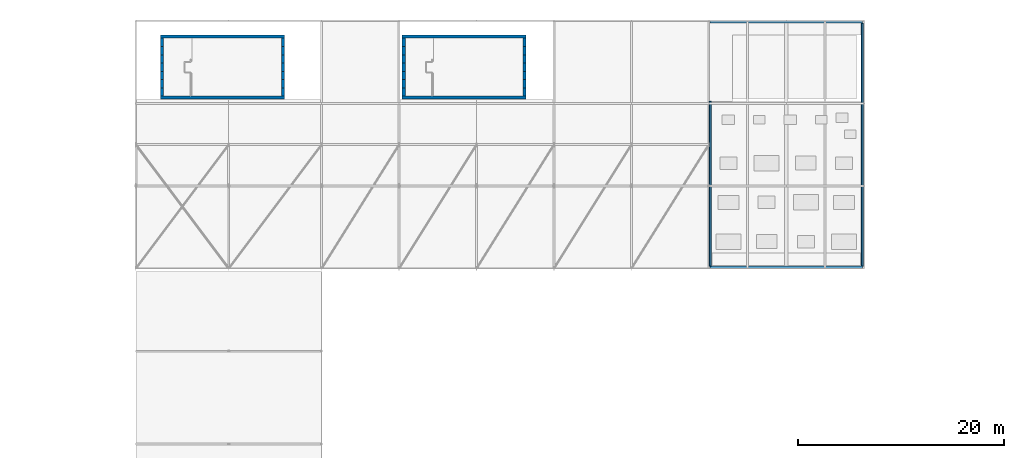
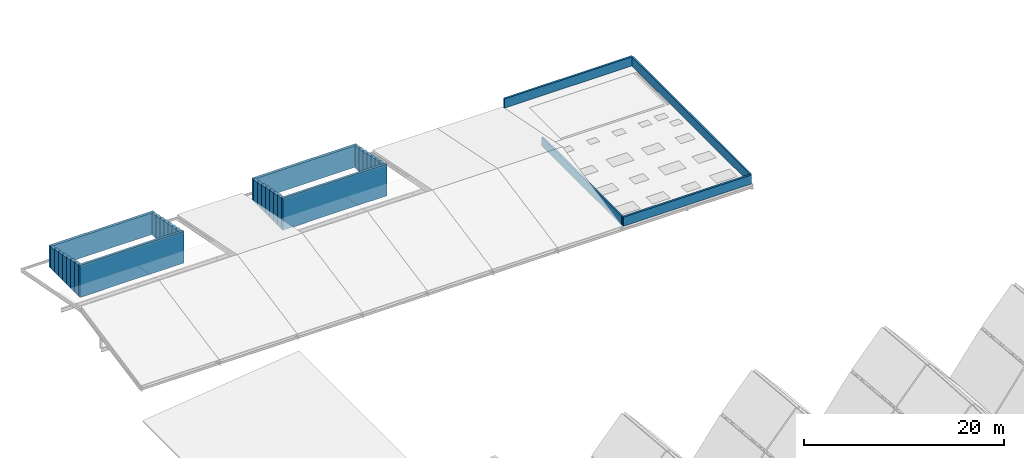
# One storey, part 77 of 93: 36 walls.
"""IFC4 building model written with IfcOpenShell, lengths in metres."""

from ifc_helpers import new_model, si_unit, direction, frame, frame_2d, origin, place, context, subcontext, project, spatial, rectangle, extrude, material, layer, layer_set, type_object, element, save


model = new_model("IFC4")

# Units and contexts
model_context = context("Model", 3, precision=1e-05, world=origin(), true_north=direction((0.0, 1.0)))
body_context = subcontext(model_context, "Body", "Model", "MODEL_VIEW")
ifc_project = project(units=[si_unit("LENGTHUNIT", "METRE"), si_unit("AREAUNIT", "SQUARE_METRE"), si_unit("VOLUMEUNIT", "CUBIC_METRE"), si_unit("PLANEANGLEUNIT", "RADIAN"), si_unit("MASSUNIT", "GRAM", prefix="KILO")], contexts=[model_context])

# Site, building, storey
site_placement = place(None, origin())
site = spatial("IfcSite", under=ifc_project, at=site_placement, CompositionType="ELEMENT")
building_placement = place(site_placement, origin())
building = spatial("IfcBuilding", under=site, at=building_placement, Name="Vourika Railside Aquatics Centre", CompositionType="ELEMENT")
storey_placement = place(building_placement, frame((0.0, 0.0, 21.89990234375)))
storey = spatial("IfcBuildingStorey", under=building, at=storey_placement, Name="Roof", CompositionType="ELEMENT", Elevation=21.89990234375)

# Walls
ifc_material_1 = material(Name="Concrete C40/50", Category="concrete")
ifc_layer_1 = layer(ifc_material_1, 0.300048828125, Name="WL-CORE")
ifc_layer_set_1 = layer_set([ifc_layer_1], Name="Concrete C40/50")
wall_type_1 = type_object("IfcWallType", Name="WL-CORE", PredefinedType="SHEAR", material=ifc_layer_set_1)
wall_1_placement = place(storey_placement, frame((20.39990234375, 108.550048828125, 0.0), z_axis=(0.0, 0.0, 1.0), x_axis=(1.0, 0.0, 0.0)))
element("IfcWall", 1, at=wall_1_placement, inside=storey, type_object=wall_type_1, Name="Protected Exit Stair Core ST01 South Wall (Roof)", PredefinedType="SHEAR", context=body_context, shape_type="SweptSolid", body=[
    extrude(rectangle(XDim=12.0, YDim=0.300048828125, at=frame_2d((6.0, 0.0))), origin(), (0.0, 0.0, 1.0), 3.8671875),
])
wall_2_placement = place(storey_placement, frame((32.39990234375, 114.449951171875, 0.0), z_axis=(0.0, 0.0, 1.0), x_axis=(-1.0, 0.0, 0.0)))
element("IfcWall", 2, at=wall_2_placement, inside=storey, type_object=wall_type_1, Name="Protected Exit Stair Core ST01 North Wall (Roof)", PredefinedType="SHEAR", context=body_context, shape_type="SweptSolid", body=[
    extrude(rectangle(XDim=12.0, YDim=0.300048828125, at=frame_2d((6.0, 0.0))), origin(), (0.0, 0.0, 1.0), 2.630126953125),
])
for number, where, z_axis, x_axis, name in (
    (3, (20.550048828125, 109.5, 0.0), (0.0, 0.0, 1.0), (0.0, -1.0, 0.0), "Protected Exit Stair Core ST01 West Wall Step 1 (Roof)"),
    (4, (32.25, 108.699951171875, 0.0), (0.0, 0.0, 1.0), (0.0, 1.0, 0.0), "Protected Exit Stair Core ST01 East Wall Step 1 (Roof)"),
):
    element("IfcWall", number, at=place(storey_placement, frame(where, z_axis=z_axis, x_axis=x_axis)), inside=storey, type_object=wall_type_1, Name=name, PredefinedType="SHEAR", context=body_context, shape_type="SweptSolid", body=[
        extrude(rectangle(XDim=0.800048828125, YDim=0.300048828125, at=frame_2d((0.39990234375, 0.0))), origin(), (0.0, 0.0, 1.0), 3.7041015625),
    ])
for number, where, z_axis, x_axis, name in (
    (5, (20.550048828125, 110.300048828125, 0.0), (0.0, 0.0, 1.0), (0.0, -1.0, 0.0), "Protected Exit Stair Core ST01 West Wall Step 2 (Roof)"),
    (6, (32.25, 109.5, 0.0), (0.0, 0.0, 1.0), (0.0, 1.0, 0.0), "Protected Exit Stair Core ST01 East Wall Step 2 (Roof)"),
):
    element("IfcWall", number, at=place(storey_placement, frame(where, z_axis=z_axis, x_axis=x_axis)), inside=storey, type_object=wall_type_1, Name=name, PredefinedType="SHEAR", context=body_context, shape_type="SweptSolid", body=[
        extrude(rectangle(XDim=0.800048828125, YDim=0.300048828125, at=frame_2d((0.39990234375, 0.0))), origin(), (0.0, 0.0, 1.0), 3.537109375),
    ])
for number, where, z_axis, x_axis, name in (
    (7, (20.550048828125, 111.10009765625, 0.0), (0.0, 0.0, 1.0), (0.0, -1.0, 0.0), "Protected Exit Stair Core ST01 West Wall Step 3 (Roof)"),
    (8, (32.25, 110.300048828125, 0.0), (0.0, 0.0, 1.0), (0.0, 1.0, 0.0), "Protected Exit Stair Core ST01 East Wall Step 3 (Roof)"),
):
    element("IfcWall", number, at=place(storey_placement, frame(where, z_axis=z_axis, x_axis=x_axis)), inside=storey, type_object=wall_type_1, Name=name, PredefinedType="SHEAR", context=body_context, shape_type="SweptSolid", body=[
        extrude(rectangle(XDim=0.800048828125, YDim=0.300048828125, at=frame_2d((0.39990234375, 0.0))), origin(), (0.0, 0.0, 1.0), 3.369140625),
    ])
for number, where, z_axis, x_axis, name in (
    (9, (20.550048828125, 111.89990234375, 0.0), (0.0, 0.0, 1.0), (0.0, -1.0, 0.0), "Protected Exit Stair Core ST01 West Wall Step 4 (Roof)"),
    (10, (32.25, 111.10009765625, 0.0), (0.0, 0.0, 1.0), (0.0, 1.0, 0.0), "Protected Exit Stair Core ST01 East Wall Step 4 (Roof)"),
):
    element("IfcWall", number, at=place(storey_placement, frame(where, z_axis=z_axis, x_axis=x_axis)), inside=storey, type_object=wall_type_1, Name=name, PredefinedType="SHEAR", context=body_context, shape_type="SweptSolid", body=[
        extrude(rectangle(XDim=0.7998046875, YDim=0.300048828125, at=frame_2d((0.39990234375, 0.0))), origin(), (0.0, 0.0, 1.0), 3.201171875),
    ])
for number, where, z_axis, x_axis, name in (
    (11, (20.550048828125, 112.699951171875, 0.0), (0.0, 0.0, 1.0), (0.0, -1.0, 0.0), "Protected Exit Stair Core ST01 West Wall Step 5 (Roof)"),
    (12, (32.25, 111.89990234375, 0.0), (0.0, 0.0, 1.0), (0.0, 1.0, 0.0), "Protected Exit Stair Core ST01 East Wall Step 5 (Roof)"),
):
    element("IfcWall", number, at=place(storey_placement, frame(where, z_axis=z_axis, x_axis=x_axis)), inside=storey, type_object=wall_type_1, Name=name, PredefinedType="SHEAR", context=body_context, shape_type="SweptSolid", body=[
        extrude(rectangle(XDim=0.800048828125, YDim=0.300048828125, at=frame_2d((0.39990234375, 0.0))), origin(), (0.0, 0.0, 1.0), 3.033203125),
    ])
for number, where, z_axis, x_axis, name in (
    (13, (20.550048828125, 113.5, 0.0), (0.0, 0.0, 1.0), (0.0, -1.0, 0.0), "Protected Exit Stair Core ST01 West Wall Step 6 (Roof)"),
    (14, (32.25, 112.699951171875, 0.0), (0.0, 0.0, 1.0), (0.0, 1.0, 0.0), "Protected Exit Stair Core ST01 East Wall Step 6 (Roof)"),
):
    element("IfcWall", number, at=place(storey_placement, frame(where, z_axis=z_axis, x_axis=x_axis)), inside=storey, type_object=wall_type_1, Name=name, PredefinedType="SHEAR", context=body_context, shape_type="SweptSolid", body=[
        extrude(rectangle(XDim=0.800048828125, YDim=0.300048828125, at=frame_2d((0.39990234375, 0.0))), origin(), (0.0, 0.0, 1.0), 2.8662109375),
    ])
for number, where, z_axis, x_axis, name in (
    (15, (20.550048828125, 114.300048828125, 0.0), (0.0, 0.0, 1.0), (0.0, -1.0, 0.0), "Protected Exit Stair Core ST01 West Wall Step 7 (Roof)"),
    (16, (32.25, 113.5, 0.0), (0.0, 0.0, 1.0), (0.0, 1.0, 0.0), "Protected Exit Stair Core ST01 East Wall Step 7 (Roof)"),
):
    element("IfcWall", number, at=place(storey_placement, frame(where, z_axis=z_axis, x_axis=x_axis)), inside=storey, type_object=wall_type_1, Name=name, PredefinedType="SHEAR", context=body_context, shape_type="SweptSolid", body=[
        extrude(rectangle(XDim=0.800048828125, YDim=0.300048828125, at=frame_2d((0.39990234375, 0.0))), origin(), (0.0, 0.0, 1.0), 2.697998046875),
    ])
wall_3_placement = place(storey_placement, frame((43.800048828125, 108.550048828125, 0.0), z_axis=(0.0, 0.0, 1.0), x_axis=(1.0, 0.0, 0.0)))
element("IfcWall", 17, at=wall_3_placement, inside=storey, type_object=wall_type_1, Name="Protected Exit Stair Core ST02 South Wall (Roof)", PredefinedType="SHEAR", context=body_context, shape_type="SweptSolid", body=[
    extrude(rectangle(XDim=12.0, YDim=0.300048828125, at=frame_2d((6.0, 0.0))), origin(), (0.0, 0.0, 1.0), 3.8671875),
])
wall_4_placement = place(storey_placement, frame((55.800048828125, 114.449951171875, 0.0), z_axis=(0.0, 0.0, 1.0), x_axis=(-1.0, 0.0, 0.0)))
element("IfcWall", 18, at=wall_4_placement, inside=storey, type_object=wall_type_1, Name="Protected Exit Stair Core ST02 North Wall (Roof)", PredefinedType="SHEAR", context=body_context, shape_type="SweptSolid", body=[
    extrude(rectangle(XDim=12.0, YDim=0.300048828125, at=frame_2d((6.0, 0.0))), origin(), (0.0, 0.0, 1.0), 2.630126953125),
])
for number, where, z_axis, x_axis, name in (
    (19, (43.949951171875, 109.5, 0.0), (0.0, 0.0, 1.0), (0.0, -1.0, 0.0), "Protected Exit Stair Core ST02 West Wall Step 1 (Roof)"),
    (20, (55.64990234375, 108.699951171875, 0.0), (0.0, 0.0, 1.0), (0.0, 1.0, 0.0), "Protected Exit Stair Core ST02 East Wall Step 1 (Roof)"),
):
    element("IfcWall", number, at=place(storey_placement, frame(where, z_axis=z_axis, x_axis=x_axis)), inside=storey, type_object=wall_type_1, Name=name, PredefinedType="SHEAR", context=body_context, shape_type="SweptSolid", body=[
        extrude(rectangle(XDim=0.800048828125, YDim=0.300048828125, at=frame_2d((0.39990234375, 0.0))), origin(), (0.0, 0.0, 1.0), 3.7041015625),
    ])
for number, where, z_axis, x_axis, name in (
    (21, (43.949951171875, 110.300048828125, 0.0), (0.0, 0.0, 1.0), (0.0, -1.0, 0.0), "Protected Exit Stair Core ST02 West Wall Step 2 (Roof)"),
    (22, (55.64990234375, 109.5, 0.0), (0.0, 0.0, 1.0), (0.0, 1.0, 0.0), "Protected Exit Stair Core ST02 East Wall Step 2 (Roof)"),
):
    element("IfcWall", number, at=place(storey_placement, frame(where, z_axis=z_axis, x_axis=x_axis)), inside=storey, type_object=wall_type_1, Name=name, PredefinedType="SHEAR", context=body_context, shape_type="SweptSolid", body=[
        extrude(rectangle(XDim=0.800048828125, YDim=0.300048828125, at=frame_2d((0.39990234375, 0.0))), origin(), (0.0, 0.0, 1.0), 3.537109375),
    ])
for number, where, z_axis, x_axis, name in (
    (23, (43.949951171875, 111.10009765625, 0.0), (0.0, 0.0, 1.0), (0.0, -1.0, 0.0), "Protected Exit Stair Core ST02 West Wall Step 3 (Roof)"),
    (24, (55.64990234375, 110.300048828125, 0.0), (0.0, 0.0, 1.0), (0.0, 1.0, 0.0), "Protected Exit Stair Core ST02 East Wall Step 3 (Roof)"),
):
    element("IfcWall", number, at=place(storey_placement, frame(where, z_axis=z_axis, x_axis=x_axis)), inside=storey, type_object=wall_type_1, Name=name, PredefinedType="SHEAR", context=body_context, shape_type="SweptSolid", body=[
        extrude(rectangle(XDim=0.800048828125, YDim=0.300048828125, at=frame_2d((0.39990234375, 0.0))), origin(), (0.0, 0.0, 1.0), 3.369140625),
    ])
for number, where, z_axis, x_axis, name in (
    (25, (43.949951171875, 111.89990234375, 0.0), (0.0, 0.0, 1.0), (0.0, -1.0, 0.0), "Protected Exit Stair Core ST02 West Wall Step 4 (Roof)"),
    (26, (55.64990234375, 111.10009765625, 0.0), (0.0, 0.0, 1.0), (0.0, 1.0, 0.0), "Protected Exit Stair Core ST02 East Wall Step 4 (Roof)"),
):
    element("IfcWall", number, at=place(storey_placement, frame(where, z_axis=z_axis, x_axis=x_axis)), inside=storey, type_object=wall_type_1, Name=name, PredefinedType="SHEAR", context=body_context, shape_type="SweptSolid", body=[
        extrude(rectangle(XDim=0.7998046875, YDim=0.300048828125, at=frame_2d((0.39990234375, 0.0))), origin(), (0.0, 0.0, 1.0), 3.201171875),
    ])
for number, where, z_axis, x_axis, name in (
    (27, (43.949951171875, 112.699951171875, 0.0), (0.0, 0.0, 1.0), (0.0, -1.0, 0.0), "Protected Exit Stair Core ST02 West Wall Step 5 (Roof)"),
    (28, (55.64990234375, 111.89990234375, 0.0), (0.0, 0.0, 1.0), (0.0, 1.0, 0.0), "Protected Exit Stair Core ST02 East Wall Step 5 (Roof)"),
):
    element("IfcWall", number, at=place(storey_placement, frame(where, z_axis=z_axis, x_axis=x_axis)), inside=storey, type_object=wall_type_1, Name=name, PredefinedType="SHEAR", context=body_context, shape_type="SweptSolid", body=[
        extrude(rectangle(XDim=0.800048828125, YDim=0.300048828125, at=frame_2d((0.39990234375, 0.0))), origin(), (0.0, 0.0, 1.0), 3.033203125),
    ])
for number, where, z_axis, x_axis, name in (
    (29, (43.949951171875, 113.5, 0.0), (0.0, 0.0, 1.0), (0.0, -1.0, 0.0), "Protected Exit Stair Core ST02 West Wall Step 6 (Roof)"),
    (30, (55.64990234375, 112.699951171875, 0.0), (0.0, 0.0, 1.0), (0.0, 1.0, 0.0), "Protected Exit Stair Core ST02 East Wall Step 6 (Roof)"),
):
    element("IfcWall", number, at=place(storey_placement, frame(where, z_axis=z_axis, x_axis=x_axis)), inside=storey, type_object=wall_type_1, Name=name, PredefinedType="SHEAR", context=body_context, shape_type="SweptSolid", body=[
        extrude(rectangle(XDim=0.800048828125, YDim=0.300048828125, at=frame_2d((0.39990234375, 0.0))), origin(), (0.0, 0.0, 1.0), 2.8662109375),
    ])
for number, where, z_axis, x_axis, name in (
    (31, (43.949951171875, 114.300048828125, 0.0), (0.0, 0.0, 1.0), (0.0, -1.0, 0.0), "Protected Exit Stair Core ST02 West Wall Step 7 (Roof)"),
    (32, (55.64990234375, 113.5, 0.0), (0.0, 0.0, 1.0), (0.0, 1.0, 0.0), "Protected Exit Stair Core ST02 East Wall Step 7 (Roof)"),
):
    element("IfcWall", number, at=place(storey_placement, frame(where, z_axis=z_axis, x_axis=x_axis)), inside=storey, type_object=wall_type_1, Name=name, PredefinedType="SHEAR", context=body_context, shape_type="SweptSolid", body=[
        extrude(rectangle(XDim=0.800048828125, YDim=0.300048828125, at=frame_2d((0.39990234375, 0.0))), origin(), (0.0, 0.0, 1.0), 2.697998046875),
    ])
ifc_material_2 = material(Name="Precast concrete C40/50", Category="concrete")
ifc_layer_2 = layer(ifc_material_2, 0.18994140625, Name="WL-PAR-190")
ifc_layer_set_2 = layer_set([ifc_layer_2], Name="Precast concrete C40/50")
wall_type_2 = type_object("IfcWallType", Name="WL-PAR-190", PredefinedType="PARAPET", material=ifc_layer_set_2)
wall_5_placement = place(storey_placement, frame((88.3798828125, 92.239990234375, -0.010009765625), z_axis=(0.0, 0.0, 1.0), x_axis=(0.0, 1.0, 0.0)))
element("IfcWall", 33, at=wall_5_placement, inside=storey, type_object=wall_type_2, Name="Academy Roof Maintenance Parapet E", PredefinedType="PARAPET", context=body_context, shape_type="SweptSolid", body=[
    extrude(rectangle(XDim=23.52001953125, YDim=0.18994140625, at=frame_2d((11.760009765625, 0.0))), origin(), (0.0, 0.0, 1.0), 1.110107421875),
])
wall_6_placement = place(storey_placement, frame((73.6201171875, 92.239990234375, -0.010009765625), z_axis=(0.0, 0.0, 1.0), x_axis=(0.0, 1.0, 0.0)))
element("IfcWall", 34, at=wall_6_placement, inside=storey, type_object=wall_type_2, Name="Academy Roof Maintenance Parapet WS", PredefinedType="PARAPET", context=body_context, shape_type="SweptSolid", body=[
    extrude(rectangle(XDim=15.9599609375, YDim=0.18994140625, at=frame_2d((7.97998046875, 0.0))), origin(), (0.0, 0.0, 1.0), 1.110107421875),
])
ifc_layer_3 = layer(ifc_material_2, 0.22998046875, Name="WL-PAR-230")
ifc_layer_set_3 = layer_set([ifc_layer_3], Name="Precast concrete C40/50")
wall_type_3 = type_object("IfcWallType", Name="WL-PAR-230", PredefinedType="PARAPET", material=ifc_layer_set_3)
for number, where, z_axis, x_axis, name in (
    (35, (73.6201171875, 92.1201171875, -0.010009765625), (0.0, 0.0, 1.0), (1.0, 0.0, 0.0), "Academy Roof Maintenance Parapet S"),
    (36, (88.3798828125, 115.8798828125, -0.010009765625), (0.0, 0.0, 1.0), (-1.0, 0.0, 0.0), "Academy Roof Maintenance Parapet N"),
):
    element("IfcWall", number, at=place(storey_placement, frame(where, z_axis=z_axis, x_axis=x_axis)), inside=storey, type_object=wall_type_3, Name=name, PredefinedType="PARAPET", context=body_context, shape_type="SweptSolid", body=[
        extrude(rectangle(XDim=14.759765625, YDim=0.22998046875, at=frame_2d((7.3798828125, 0.0))), origin(), (0.0, 0.0, 1.0), 1.110107421875),
    ])

save(model, "model.ifc")
